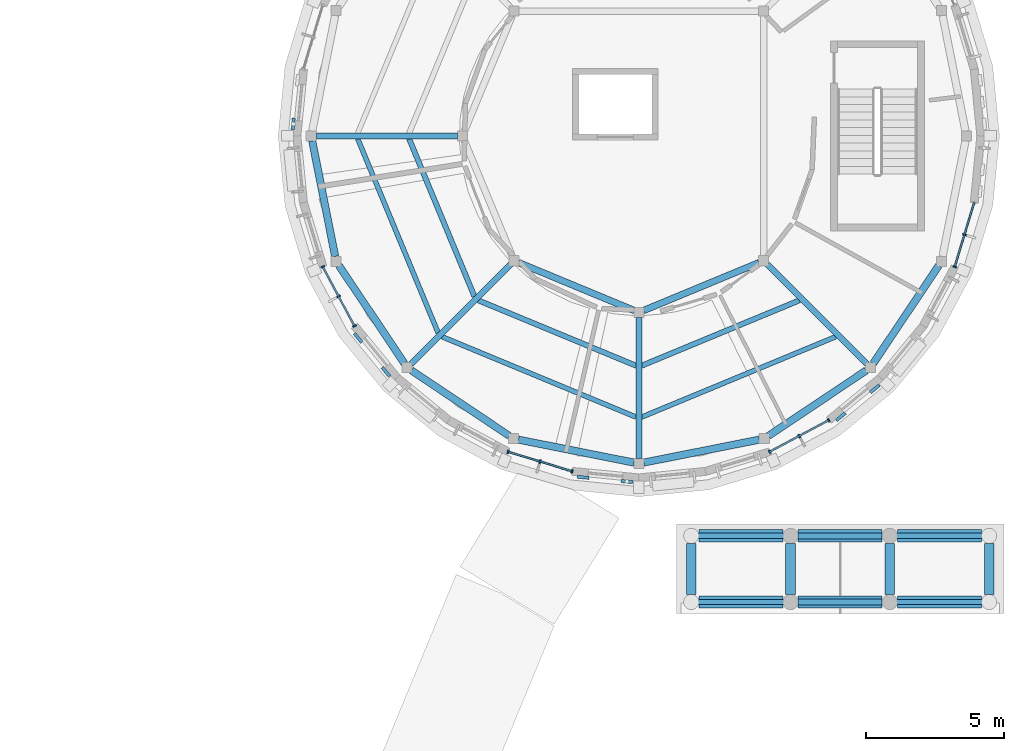
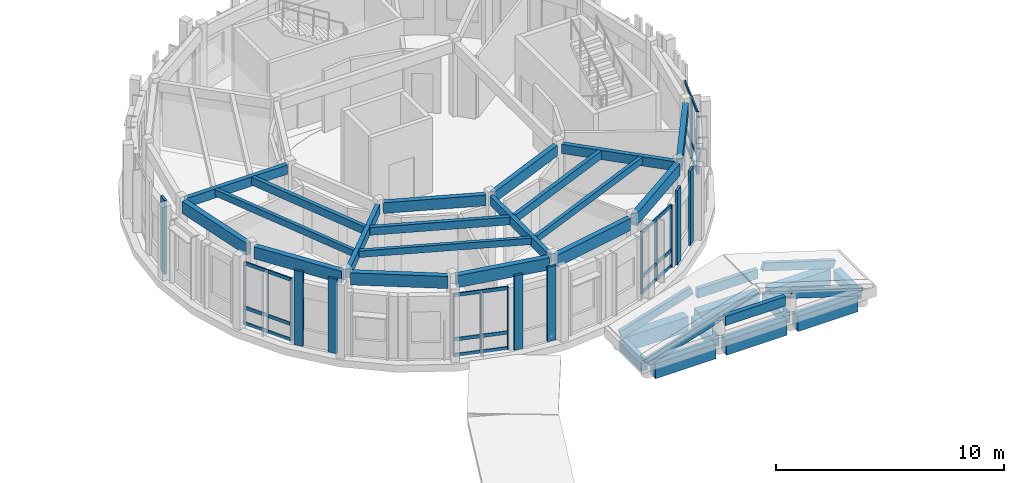
# One storey, part 18 of 58: 34 members, 31 beams, 4 elements without a shape of their own.
"""IFC4 building model written with IfcOpenShell, lengths in metres."""

from ifc_helpers import new_model, si_unit, direction, frame, origin, origin_2d, place, context, subcontext, project, spatial, rectangle, extrude, material, layer, layer_set, material_profile, profile_set, type_object, element, aggregate, save


model = new_model("IFC4")

# Units and contexts
model_context = context("Model", 3, precision=1e-05, world=origin(), true_north=direction((0.0, 1.0)))
body_context = subcontext(model_context, "Body", "Model", "MODEL_VIEW")
ifc_project = project(units=[si_unit("LENGTHUNIT", "METRE"), si_unit("AREAUNIT", "SQUARE_METRE"), si_unit("VOLUMEUNIT", "CUBIC_METRE"), si_unit("PLANEANGLEUNIT", "RADIAN"), si_unit("MASSUNIT", "GRAM", prefix="KILO")], contexts=[model_context])

# Site, building, storey
site_placement = place(None, origin())
site = spatial("IfcSite", under=ifc_project, at=site_placement, CompositionType="ELEMENT")
building_placement = place(site_placement, origin())
building = spatial("IfcBuilding", under=site, at=building_placement, Name="Aldenvaro Health Centre", CompositionType="ELEMENT")
storey_placement = place(building_placement, frame((0.0, 0.0, 8.75)))
storey = spatial("IfcBuildingStorey", under=building, at=storey_placement, Name="L02", CompositionType="ELEMENT", Elevation=8.75)

# Beams
ifc_material_1 = material(Name="Glulam GL28h", Category="wood")
ifc_material_profile_1 = material_profile(ifc_material_1, rectangle(XDim=0.175048828125, YDim=0.35009765625, at=origin_2d()), Name="GL 175x350", Category="wood")
ifc_profile_set_1 = profile_set([ifc_material_profile_1], Name="Glulam GL28h")
beam_type_1 = type_object("IfcBeamType", Name="BM-GL-350", PredefinedType="JOIST", material=ifc_profile_set_1)
for number, where, z_axis, x_axis, name in (
    (1, (144.304931640625, 99.40087890625, 3.800048828125), (0.382732904244, -0.923859039036, 0.0), (0.923859039036, 0.382732904244, 0.0), "D2 L02 secondary joist 03.2"),
    (2, (147.362060546875, 92.220947265625, 3.800048828125), (0.923859039036, -0.382732904244, 0.0), (0.382732904244, 0.923859039036, 0.0), "D2 L02 secondary joist 04.2"),
    (3, (154.59912109375, 89.304931640625, 3.800048828125), (0.923859039036, 0.382732904244, 0.0), (-0.382732904244, 0.923859039036, 0.0), "D2 L02 secondary joist 05.2"),
):
    element("IfcBeam", number, at=place(storey_placement, frame(where, z_axis=z_axis, x_axis=x_axis)), inside=storey, type_object=beam_type_1, Name=name, PredefinedType="JOIST", context=body_context, shape_type="SweptSolid", body=[
        extrude(rectangle(XDim=0.175048828125, YDim=0.35009765625, at=origin_2d()), origin(), (0.0, 0.0, 1.0), 7.618896484375),
    ])
ifc_material_profile_2 = material_profile(ifc_material_1, rectangle(XDim=0.18994140625, YDim=0.41796875, at=origin_2d()), Name="GL 190x418", Category="wood")
ifc_profile_set_2 = profile_set([ifc_material_profile_2], Name="Glulam GL28h")
beam_type_2 = type_object("IfcBeamType", Name="BM-GL-418", PredefinedType="JOIST", material=ifc_profile_set_2)
for number, where, z_axis, x_axis, name in (
    (4, (146.16796875, 99.40087890625, 3.76611328125), (0.382820589001, -0.923822708444, 0.0), (0.923822708444, 0.382820589001, 0.0), "D2 L02 secondary joist 03.1"),
    (5, (148.678955078125, 93.5390625, 3.76611328125), (0.923822708444, -0.382820589001, 0.0), (0.382820589001, 0.923822708444, 0.0), "D2 L02 secondary joist 04.1"),
    (6, (154.59912109375, 91.16796875, 3.76611328125), (0.923822708444, 0.382820589001, 0.0), (-0.382820589001, 0.923822708444, 0.0), "D2 L02 secondary joist 05.1"),
):
    element("IfcBeam", number, at=place(storey_placement, frame(where, z_axis=z_axis, x_axis=x_axis)), inside=storey, type_object=beam_type_2, Name=name, PredefinedType="JOIST", context=body_context, shape_type="SweptSolid", body=[
        extrude(rectangle(XDim=0.18994140625, YDim=0.41796875, at=origin_2d()), origin(), (0.0, 0.0, 1.0), 6.19384765625),
    ])
ifc_material_profile_3 = material_profile(ifc_material_1, rectangle(XDim=0.215087890625, YDim=0.493896484375, at=origin_2d()), Name="GL 215x494", Category="wood")
ifc_profile_set_3 = profile_set([ifc_material_profile_3], Name="Glulam GL28h")
beam_type_3 = type_object("IfcBeamType", Name="BM-GL-494", PredefinedType="BEAM", material=ifc_profile_set_3)
beam_1_placement = place(storey_placement, frame((147.9169921875, 99.5, 3.72802734375), z_axis=(-1.0, 0.0, 0.0), x_axis=(0.0, -1.0, 0.0)))
element("IfcBeam", 7, at=beam_1_placement, inside=storey, type_object=beam_type_3, Name="D2 L02 radial beam 03", PredefinedType="BEAM", context=body_context, shape_type="SweptSolid", body=[
    extrude(rectangle(XDim=0.215087890625, YDim=0.493896484375, at=origin_2d()), origin(), (0.0, 0.0, 1.0), 5.114013671875),
])
beam_2_placement = place(storey_placement, frame((149.845947265625, 94.845947265625, 3.72802734375), z_axis=(-0.707106781187, -0.707106781187, 0.0), x_axis=(0.707106781187, -0.707106781187, 0.0)))
element("IfcBeam", 8, at=beam_2_placement, inside=storey, type_object=beam_type_3, Name="D2 L02 radial beam 04", PredefinedType="BEAM", context=body_context, shape_type="SweptSolid", body=[
    extrude(rectangle(XDim=0.215087890625, YDim=0.493896484375, at=origin_2d()), origin(), (0.0, 0.0, 1.0), 5.115234375),
])
beam_3_placement = place(storey_placement, frame((154.5, 92.9169921875, 3.72802734375), z_axis=(0.0, -1.0, 0.0), x_axis=(1.0, 0.0, 0.0)))
element("IfcBeam", 9, at=beam_3_placement, inside=storey, type_object=beam_type_3, Name="D2 L02 radial beam 05", PredefinedType="BEAM", context=body_context, shape_type="SweptSolid", body=[
    extrude(rectangle(XDim=0.215087890625, YDim=0.493896484375, at=origin_2d()), origin(), (0.0, 0.0, 1.0), 5.114013671875),
])
beam_4_placement = place(storey_placement, frame((159.154052734375, 94.845947265625, 3.72802734375), z_axis=(0.707106781187, -0.707106781187, 0.0), x_axis=(0.707106781187, 0.707106781187, 0.0)))
element("IfcBeam", 10, at=beam_4_placement, inside=storey, type_object=beam_type_3, Name="D2 L02 radial beam 06", PredefinedType="BEAM", context=body_context, shape_type="SweptSolid", body=[
    extrude(rectangle(XDim=0.215087890625, YDim=0.493896484375, at=origin_2d()), origin(), (0.0, 0.0, 1.0), 5.115234375),
])
for number, where, z_axis, x_axis, name in (
    (11, (160.27490234375, 82.60009765625, 1.550048828125), (1.0, 0.0, 0.0), (0.0, 1.0, 0.0), "Bastion Portico N2 Pediment Collar 1"),
    (12, (160.27490234375, 85.0, 1.550048828125), (1.0, 0.0, 0.0), (0.0, 1.0, 0.0), "Bastion Portico N2 Pediment Collar 2"),
):
    element("IfcBeam", number, at=place(storey_placement, frame(where, z_axis=z_axis, x_axis=x_axis)), inside=storey, type_object=beam_type_3, Name=name, PredefinedType="BEAM", context=body_context, shape_type="SweptSolid", body=[
        extrude(rectangle(XDim=0.215087890625, YDim=0.493896484375, at=origin_2d()), origin(), (0.0, 0.0, 1.0), 3.050048828125),
    ])
ifc_material_profile_4 = material_profile(ifc_material_1, rectangle(XDim=0.239990234375, YDim=0.570068359375, at=origin_2d()), Name="GL 240x570", Category="wood")
ifc_profile_set_4 = profile_set([ifc_material_profile_4], Name="Glulam GL28h")
beam_type_4 = type_object("IfcBeamType", Name="BM-GL-570", PredefinedType="BEAM", material=ifc_profile_set_4)
for number, where, z_axis, x_axis, name in (
    (13, (150.14404296875, 94.905029296875, 3.68994140625), (0.923817864667, -0.382832277795, 0.0), (0.382832277795, 0.923817864667, 0.0), "D2 L02 inner ring beam 04"),
    (14, (154.6689453125, 93.169921875, 3.68994140625), (0.923817864667, 0.382832277795, 0.0), (-0.382832277795, 0.923817864667, 0.0), "D2 L02 inner ring beam 05"),
):
    element("IfcBeam", number, at=place(storey_placement, frame(where, z_axis=z_axis, x_axis=x_axis)), inside=storey, type_object=beam_type_4, Name=name, PredefinedType="BEAM", context=body_context, shape_type="SweptSolid", body=[
        extrude(rectangle(XDim=0.239990234375, YDim=0.570068359375, at=origin_2d()), origin(), (0.0, 0.0, 1.0), 4.5322265625),
    ])
ifc_material_profile_5 = material_profile(ifc_material_1, rectangle(XDim=0.264892578125, YDim=0.64599609375, at=origin_2d()), Name="GL 265x646", Category="wood")
ifc_profile_set_5 = profile_set([ifc_material_profile_5], Name="Glulam GL28h")
beam_type_5 = type_object("IfcBeamType", Name="BM-GL-646", PredefinedType="SPANDREL", material=ifc_profile_set_5)
beam_5_placement = place(storey_placement, frame((142.656005859375, 99.321044921875, 3.652099609375), z_axis=(0.19486245827, -0.980830577805, 0.0), x_axis=(0.980830577805, 0.19486245827, 0.0)))
element("IfcBeam", 15, at=beam_5_placement, inside=storey, type_object=beam_type_5, Name="D2 L02 perimeter spandrel 09", PredefinedType="SPANDREL", context=body_context, shape_type="SweptSolid", body=[
    extrude(rectangle(XDim=0.264892578125, YDim=0.64599609375, at=origin_2d()), origin(), (0.0, 0.0, 1.0), 4.269775390625),
])
for number, where, z_axis, x_axis, name in (
    (16, (143.625, 94.802001953125, 3.652099609375), (0.555886935474, -0.831257911222, 0.0), (0.831257911222, 0.555886935474, 0.0), "D2 L02 perimeter spandrel 10"),
    (17, (146.251953125, 90.9990234375, 3.652099609375), (0.831257911222, -0.555886935474, 0.0), (0.555886935474, 0.831257911222, 0.0), "D2 L02 perimeter spandrel 11"),
):
    element("IfcBeam", number, at=place(storey_placement, frame(where, z_axis=z_axis, x_axis=x_axis)), inside=storey, type_object=beam_type_5, Name=name, PredefinedType="SPANDREL", context=body_context, shape_type="SweptSolid", body=[
        extrude(rectangle(XDim=0.264892578125, YDim=0.64599609375, at=origin_2d()), origin(), (0.0, 0.0, 1.0), 4.270751953125),
    ])
for number, where, z_axis, x_axis, name in (
    (18, (150.133056640625, 88.488037109375, 3.652099609375), (0.980830577805, -0.19486245827, 0.0), (0.19486245827, 0.980830577805, 0.0), "D2 L02 perimeter spandrel 12"),
    (19, (154.678955078125, 87.656005859375, 3.652099609375), (0.980830577805, 0.19486245827, 0.0), (-0.19486245827, 0.980830577805, 0.0), "D2 L02 perimeter spandrel 13"),
):
    element("IfcBeam", number, at=place(storey_placement, frame(where, z_axis=z_axis, x_axis=x_axis)), inside=storey, type_object=beam_type_5, Name=name, PredefinedType="SPANDREL", context=body_context, shape_type="SweptSolid", body=[
        extrude(rectangle(XDim=0.264892578125, YDim=0.64599609375, at=origin_2d()), origin(), (0.0, 0.0, 1.0), 4.269775390625),
    ])
for number, where, z_axis, x_axis, name in (
    (20, (159.197998046875, 88.625, 3.652099609375), (0.831257911222, 0.555886935474, 0.0), (-0.555886935474, 0.831257911222, 0.0), "D2 L02 perimeter spandrel 14"),
    (21, (163.0009765625, 91.251953125, 3.652099609375), (0.555886935474, 0.831257911222, 0.0), (-0.831257911222, 0.555886935474, 0.0), "D2 L02 perimeter spandrel 15"),
):
    element("IfcBeam", number, at=place(storey_placement, frame(where, z_axis=z_axis, x_axis=x_axis)), inside=storey, type_object=beam_type_5, Name=name, PredefinedType="SPANDREL", context=body_context, shape_type="SweptSolid", body=[
        extrude(rectangle(XDim=0.264892578125, YDim=0.64599609375, at=origin_2d()), origin(), (0.0, 0.0, 1.0), 4.270751953125),
    ])
ifc_material_2 = material(Name="Concrete f'c 40 MPa", Category="concrete")
ifc_material_profile_6 = material_profile(ifc_material_2, rectangle(XDim=0.35009765625, YDim=0.56005859375, at=origin_2d()), Name="RC 350x560", Category="concrete")
ifc_profile_set_6 = profile_set([ifc_material_profile_6], Name="Concrete f'c 40 MPa")
beam_type_6 = type_object("IfcBeamType", Name="BM-RC-560E", PredefinedType="JOIST", material=ifc_profile_set_6)
for number, where, z_axis, x_axis, name in (
    (22, (156.39990234375, 82.875, 0.320068359375), (0.0, 1.0, 0.0), (-1.0, 0.0, 0.0), "Bastion Portico N2 Entablature Tie 1"),
    (23, (160.0, 82.875, 0.320068359375), (0.0, 1.0, 0.0), (-1.0, 0.0, 0.0), "Bastion Portico N2 Entablature Tie 2"),
    (24, (163.60009765625, 82.875, 0.320068359375), (0.0, 1.0, 0.0), (-1.0, 0.0, 0.0), "Bastion Portico N2 Entablature Tie 3"),
    (25, (167.199951171875, 82.875, 0.320068359375), (0.0, 1.0, 0.0), (-1.0, 0.0, 0.0), "Bastion Portico N2 Entablature Tie 4"),
):
    element("IfcBeam", number, at=place(storey_placement, frame(where, z_axis=z_axis, x_axis=x_axis)), inside=storey, type_object=beam_type_6, Name=name, PredefinedType="JOIST", context=body_context, shape_type="SweptSolid", body=[
        extrude(rectangle(XDim=0.35009765625, YDim=0.56005859375, at=origin_2d()), origin(), (0.0, 0.0, 1.0), 1.85009765625),
    ])
ifc_material_profile_7 = material_profile(ifc_material_2, rectangle(XDim=0.449951171875, YDim=0.800048828125, at=origin_2d()), Name="RC 450x800", Category="concrete")
ifc_profile_set_7 = profile_set([ifc_material_profile_7], Name="Concrete f'c 40 MPa")
beam_type_7 = type_object("IfcBeamType", Name="BM-RC-800", PredefinedType="SPANDREL", material=ifc_profile_set_7)
for number, where, z_axis, x_axis, name in (
    (26, (156.675048828125, 82.60009765625, 0.199951171875), (1.0, 0.0, 0.0), (0.0, 1.0, 0.0), "Bastion Portico N2 Classical Architrave 1.1"),
    (27, (156.675048828125, 85.0, 0.199951171875), (1.0, 0.0, 0.0), (0.0, 1.0, 0.0), "Bastion Portico N2 Classical Architrave 1.2"),
    (28, (160.27490234375, 82.60009765625, 0.199951171875), (1.0, 0.0, 0.0), (0.0, 1.0, 0.0), "Bastion Portico N2 Classical Architrave 2.1"),
    (29, (160.27490234375, 85.0, 0.199951171875), (1.0, 0.0, 0.0), (0.0, 1.0, 0.0), "Bastion Portico N2 Classical Architrave 2.2"),
    (30, (163.875, 82.60009765625, 0.199951171875), (1.0, 0.0, 0.0), (0.0, 1.0, 0.0), "Bastion Portico N2 Classical Architrave 3.1"),
    (31, (163.875, 85.0, 0.199951171875), (1.0, 0.0, 0.0), (0.0, 1.0, 0.0), "Bastion Portico N2 Classical Architrave 3.2"),
):
    element("IfcBeam", number, at=place(storey_placement, frame(where, z_axis=z_axis, x_axis=x_axis)), inside=storey, type_object=beam_type_7, Name=name, PredefinedType="SPANDREL", context=body_context, shape_type="SweptSolid", body=[
        extrude(rectangle(XDim=0.449951171875, YDim=0.800048828125, at=origin_2d()), origin(), (0.0, 0.0, 1.0), 3.050048828125),
    ])

# Curtain wall, members
ifc_material_3 = material(Name="Anodised Aluminium 6063-T6", Category="aluminium")
ifc_layer = layer(ifc_material_3, 0.195068359375, Name="Anodised Aluminium 6063-T6", Category="aluminium")
ifc_layer_set = layer_set([ifc_layer], Name="Anodised Aluminium 6063-T6")
curtain_wall_type = type_object("IfcCurtainWallType", Name="CW-CLN-02", PredefinedType="NOTDEFINED", material=ifc_layer_set)
curtain_wall_1_placement = place(storey_placement, origin())
curtain_wall_1 = element("IfcCurtainWall", 32, at=curtain_wall_1_placement, inside=storey, type_object=curtain_wall_type, Name="D2 L02 curtain wall bay 02", PredefinedType="NOTDEFINED")
ifc_material_profile_8 = material_profile(ifc_material_3, rectangle(XDim=0.06005859375, YDim=0.135009765625, at=origin_2d()), Name="ALU 60x135", Category="aluminium")
ifc_profile_set_8 = profile_set([ifc_material_profile_8], Name="Anodised Aluminium 6063-T6")
member_type_1 = type_object("IfcMemberType", Name="CWM-150", PredefinedType="MULLION", material=ifc_profile_set_8)
member_1_placement = place(storey_placement, frame((166.30908203125, 95.91796875, 0.0), z_axis=(0.0, 0.0, 1.0), x_axis=(-0.290441245116, -0.956892827403, 0.0)))
member_1 = element("IfcMember", 33, at=member_1_placement, type_object=member_type_1, Name="D2 L02 curtain wall bay 02 mullion 2", PredefinedType="MULLION", context=body_context, shape_type="SweptSolid", body=[
    extrude(rectangle(XDim=0.06005859375, YDim=0.135009765625, at=origin_2d()), origin(), (0.0, 0.0, 1.0), 3.3291015625),
])
member_2_placement = place(storey_placement, frame((165.9560546875, 94.7548828125, 0.0), z_axis=(0.0, 0.0, 1.0), x_axis=(-0.290441245116, -0.956892827403, 0.0)))
member_2 = element("IfcMember", 34, at=member_2_placement, type_object=member_type_1, Name="D2 L02 curtain wall bay 02 mullion 3", PredefinedType="MULLION", context=body_context, shape_type="SweptSolid", body=[
    extrude(rectangle(XDim=0.06005859375, YDim=0.135009765625, at=origin_2d()), origin(), (0.0, 0.0, 1.0), 3.3291015625),
])

curtain_wall_2_placement = place(storey_placement, origin())
curtain_wall_2 = element("IfcCurtainWall", 35, at=curtain_wall_2_placement, inside=storey, type_object=curtain_wall_type, Name="D2 L02 curtain wall bay 06", PredefinedType="NOTDEFINED")
member_3_placement = place(storey_placement, frame((161.388916015625, 89.18994140625, 0.0), z_axis=(0.0, 0.0, 1.0), x_axis=(-0.881919874971, -0.471399336159, 0.0)))
member_3 = element("IfcMember", 36, at=member_3_placement, type_object=member_type_1, Name="D2 L02 curtain wall bay 06 mullion 1", PredefinedType="MULLION", context=body_context, shape_type="SweptSolid", body=[
    extrude(rectangle(XDim=0.06005859375, YDim=0.135009765625, at=origin_2d()), origin(), (0.0, 0.0, 1.0), 3.3291015625),
])
member_4_placement = place(storey_placement, frame((160.31689453125, 88.616943359375, 0.0), z_axis=(0.0, 0.0, 1.0), x_axis=(-0.881919874971, -0.471399336159, 0.0)))
member_4 = element("IfcMember", 37, at=member_4_placement, type_object=member_type_1, Name="D2 L02 curtain wall bay 06 mullion 2", PredefinedType="MULLION", context=body_context, shape_type="SweptSolid", body=[
    extrude(rectangle(XDim=0.06005859375, YDim=0.135009765625, at=origin_2d()), origin(), (0.0, 0.0, 1.0), 3.3291015625),
])
member_5_placement = place(storey_placement, frame((159.2451171875, 88.0439453125, 0.0), z_axis=(0.0, 0.0, 1.0), x_axis=(-0.881919874971, -0.471399336159, 0.0)))
member_5 = element("IfcMember", 38, at=member_5_placement, type_object=member_type_1, Name="D2 L02 curtain wall bay 06 mullion 3", PredefinedType="MULLION", context=body_context, shape_type="SweptSolid", body=[
    extrude(rectangle(XDim=0.06005859375, YDim=0.135009765625, at=origin_2d()), origin(), (0.0, 0.0, 1.0), 3.3291015625),
])

curtain_wall_3_placement = place(storey_placement, origin())
curtain_wall_3 = element("IfcCurtainWall", 39, at=curtain_wall_3_placement, inside=storey, type_object=curtain_wall_type, Name="D2 L02 curtain wall bay 10", PredefinedType="NOTDEFINED")
member_6_placement = place(storey_placement, frame((152.0810546875, 87.337890625, 0.0), z_axis=(0.0, 0.0, 1.0), x_axis=(-0.956892827403, 0.290441245116, 0.0)))
member_6 = element("IfcMember", 40, at=member_6_placement, type_object=member_type_1, Name="D2 L02 curtain wall bay 10 mullion 1", PredefinedType="MULLION", context=body_context, shape_type="SweptSolid", body=[
    extrude(rectangle(XDim=0.06005859375, YDim=0.135009765625, at=origin_2d()), origin(), (0.0, 0.0, 1.0), 3.3291015625),
])
member_7_placement = place(storey_placement, frame((150.91796875, 87.69091796875, 0.0), z_axis=(0.0, 0.0, 1.0), x_axis=(-0.956892827403, 0.290441245116, 0.0)))
member_7 = element("IfcMember", 41, at=member_7_placement, type_object=member_type_1, Name="D2 L02 curtain wall bay 10 mullion 2", PredefinedType="MULLION", context=body_context, shape_type="SweptSolid", body=[
    extrude(rectangle(XDim=0.06005859375, YDim=0.135009765625, at=origin_2d()), origin(), (0.0, 0.0, 1.0), 3.3291015625),
])
member_8_placement = place(storey_placement, frame((149.7548828125, 88.0439453125, 0.0), z_axis=(0.0, 0.0, 1.0), x_axis=(-0.956892827403, 0.290441245116, 0.0)))
member_8 = element("IfcMember", 42, at=member_8_placement, type_object=member_type_1, Name="D2 L02 curtain wall bay 10 mullion 3", PredefinedType="MULLION", context=body_context, shape_type="SweptSolid", body=[
    extrude(rectangle(XDim=0.06005859375, YDim=0.135009765625, at=origin_2d()), origin(), (0.0, 0.0, 1.0), 3.3291015625),
])

curtain_wall_4_placement = place(storey_placement, origin())
curtain_wall_4 = element("IfcCurtainWall", 43, at=curtain_wall_4_placement, inside=storey, type_object=curtain_wall_type, Name="D2 L02 curtain wall bay 14", PredefinedType="NOTDEFINED")
member_9_placement = place(storey_placement, frame((144.18994140625, 92.611083984375, 0.0), z_axis=(0.0, 0.0, 1.0), x_axis=(-0.471399336159, 0.881919874971, 0.0)))
member_9 = element("IfcMember", 44, at=member_9_placement, type_object=member_type_1, Name="D2 L02 curtain wall bay 14 mullion 1", PredefinedType="MULLION", context=body_context, shape_type="SweptSolid", body=[
    extrude(rectangle(XDim=0.06005859375, YDim=0.135009765625, at=origin_2d()), origin(), (0.0, 0.0, 1.0), 3.3291015625),
])
member_10_placement = place(storey_placement, frame((143.616943359375, 93.68310546875, 0.0), z_axis=(0.0, 0.0, 1.0), x_axis=(-0.471399336159, 0.881919874971, 0.0)))
member_10 = element("IfcMember", 45, at=member_10_placement, type_object=member_type_1, Name="D2 L02 curtain wall bay 14 mullion 2", PredefinedType="MULLION", context=body_context, shape_type="SweptSolid", body=[
    extrude(rectangle(XDim=0.06005859375, YDim=0.135009765625, at=origin_2d()), origin(), (0.0, 0.0, 1.0), 3.3291015625),
])
member_11_placement = place(storey_placement, frame((143.0439453125, 94.7548828125, 0.0), z_axis=(0.0, 0.0, 1.0), x_axis=(-0.471399336159, 0.881919874971, 0.0)))
member_11 = element("IfcMember", 46, at=member_11_placement, type_object=member_type_1, Name="D2 L02 curtain wall bay 14 mullion 3", PredefinedType="MULLION", context=body_context, shape_type="SweptSolid", body=[
    extrude(rectangle(XDim=0.06005859375, YDim=0.135009765625, at=origin_2d()), origin(), (0.0, 0.0, 1.0), 3.3291015625),
])

# Member
ifc_material_profile_9 = material_profile(ifc_material_3, rectangle(XDim=0.06494140625, YDim=0.179931640625, at=origin_2d()), Name="ALU 65x180", Category="aluminium")
ifc_profile_set_9 = profile_set([ifc_material_profile_9], Name="Anodised Aluminium 6063-T6")
member_type_2 = type_object("IfcMemberType", Name="CWT-150", PredefinedType="USERDEFINED", material=ifc_profile_set_9)
member_12_placement = place(storey_placement, frame((166.662109375, 97.0810546875, 0.06005859375), z_axis=(-0.290442193951, -0.956892539407, 0.0), x_axis=(0.956892539407, -0.290442193951, 0.0)))
member_12 = element("IfcMember", 47, at=member_12_placement, type_object=member_type_2, Name="D2 L02 curtain wall bay 02 transom 1", ObjectType="TRANSOM", PredefinedType="USERDEFINED", context=body_context, shape_type="SweptSolid", body=[
    extrude(rectangle(XDim=0.06494140625, YDim=0.179931640625, at=origin_2d()), origin(), (0.0, 0.0, 1.0), 2.430908203125),
])

member_13_placement = place(storey_placement, frame((166.662109375, 97.0810546875, 0.89990234375), z_axis=(-0.290442193951, -0.956892539407, 0.0), x_axis=(0.956892539407, -0.290442193951, 0.0)))
member_13 = element("IfcMember", 48, at=member_13_placement, type_object=member_type_2, Name="D2 L02 curtain wall bay 02 transom 2", ObjectType="TRANSOM", PredefinedType="USERDEFINED", context=body_context, shape_type="SweptSolid", body=[
    extrude(rectangle(XDim=0.06494140625, YDim=0.179931640625, at=origin_2d()), origin(), (0.0, 0.0, 1.0), 2.430908203125),
])

member_14_placement = place(storey_placement, frame((166.662109375, 97.0810546875, 3.26904296875), z_axis=(-0.290442193951, -0.956892539407, 0.0), x_axis=(0.956892539407, -0.290442193951, 0.0)))
member_14 = element("IfcMember", 49, at=member_14_placement, type_object=member_type_2, Name="D2 L02 curtain wall bay 02 transom 3", ObjectType="TRANSOM", PredefinedType="USERDEFINED", context=body_context, shape_type="SweptSolid", body=[
    extrude(rectangle(XDim=0.06494140625, YDim=0.179931640625, at=origin_2d()), origin(), (0.0, 0.0, 1.0), 2.430908203125),
])

aggregate(curtain_wall_1, [member_1, member_2, member_12, member_13, member_14])

member_15_placement = place(storey_placement, frame((161.388916015625, 89.18994140625, 0.06005859375), z_axis=(-0.881902152415, -0.471432490996, 0.0), x_axis=(0.471432490996, -0.881902152415, 0.0)))
member_15 = element("IfcMember", 50, at=member_15_placement, type_object=member_type_2, Name="D2 L02 curtain wall bay 06 transom 1", ObjectType="TRANSOM", PredefinedType="USERDEFINED", context=body_context, shape_type="SweptSolid", body=[
    extrude(rectangle(XDim=0.06494140625, YDim=0.179931640625, at=origin_2d()), origin(), (0.0, 0.0, 1.0), 2.430908203125),
])

member_16_placement = place(storey_placement, frame((161.388916015625, 89.18994140625, 0.89990234375), z_axis=(-0.881902152415, -0.471432490996, 0.0), x_axis=(0.471432490996, -0.881902152415, 0.0)))
member_16 = element("IfcMember", 51, at=member_16_placement, type_object=member_type_2, Name="D2 L02 curtain wall bay 06 transom 2", ObjectType="TRANSOM", PredefinedType="USERDEFINED", context=body_context, shape_type="SweptSolid", body=[
    extrude(rectangle(XDim=0.06494140625, YDim=0.179931640625, at=origin_2d()), origin(), (0.0, 0.0, 1.0), 2.430908203125),
])

member_17_placement = place(storey_placement, frame((161.388916015625, 89.18994140625, 3.26904296875), z_axis=(-0.881902152415, -0.471432490996, 0.0), x_axis=(0.471432490996, -0.881902152415, 0.0)))
member_17 = element("IfcMember", 52, at=member_17_placement, type_object=member_type_2, Name="D2 L02 curtain wall bay 06 transom 3", ObjectType="TRANSOM", PredefinedType="USERDEFINED", context=body_context, shape_type="SweptSolid", body=[
    extrude(rectangle(XDim=0.06494140625, YDim=0.179931640625, at=origin_2d()), origin(), (0.0, 0.0, 1.0), 2.430908203125),
])

aggregate(curtain_wall_2, [member_3, member_4, member_5, member_15, member_16, member_17])

member_18_placement = place(storey_placement, frame((152.0810546875, 87.337890625, 0.06005859375), z_axis=(-0.956892539407, 0.290442193951, 0.0), x_axis=(-0.290442193951, -0.956892539407, 0.0)))
member_18 = element("IfcMember", 53, at=member_18_placement, type_object=member_type_2, Name="D2 L02 curtain wall bay 10 transom 1", ObjectType="TRANSOM", PredefinedType="USERDEFINED", context=body_context, shape_type="SweptSolid", body=[
    extrude(rectangle(XDim=0.06494140625, YDim=0.179931640625, at=origin_2d()), origin(), (0.0, 0.0, 1.0), 2.430908203125),
])

member_19_placement = place(storey_placement, frame((152.0810546875, 87.337890625, 0.89990234375), z_axis=(-0.956892539407, 0.290442193951, 0.0), x_axis=(-0.290442193951, -0.956892539407, 0.0)))
member_19 = element("IfcMember", 54, at=member_19_placement, type_object=member_type_2, Name="D2 L02 curtain wall bay 10 transom 2", ObjectType="TRANSOM", PredefinedType="USERDEFINED", context=body_context, shape_type="SweptSolid", body=[
    extrude(rectangle(XDim=0.06494140625, YDim=0.179931640625, at=origin_2d()), origin(), (0.0, 0.0, 1.0), 2.430908203125),
])

member_20_placement = place(storey_placement, frame((152.0810546875, 87.337890625, 3.26904296875), z_axis=(-0.956892539407, 0.290442193951, 0.0), x_axis=(-0.290442193951, -0.956892539407, 0.0)))
member_20 = element("IfcMember", 55, at=member_20_placement, type_object=member_type_2, Name="D2 L02 curtain wall bay 10 transom 3", ObjectType="TRANSOM", PredefinedType="USERDEFINED", context=body_context, shape_type="SweptSolid", body=[
    extrude(rectangle(XDim=0.06494140625, YDim=0.179931640625, at=origin_2d()), origin(), (0.0, 0.0, 1.0), 2.430908203125),
])

aggregate(curtain_wall_3, [member_6, member_7, member_8, member_18, member_19, member_20])

member_21_placement = place(storey_placement, frame((144.18994140625, 92.611083984375, 0.06005859375), z_axis=(-0.471432490996, 0.881902152415, 0.0), x_axis=(-0.881902152415, -0.471432490996, 0.0)))
member_21 = element("IfcMember", 56, at=member_21_placement, type_object=member_type_2, Name="D2 L02 curtain wall bay 14 transom 1", ObjectType="TRANSOM", PredefinedType="USERDEFINED", context=body_context, shape_type="SweptSolid", body=[
    extrude(rectangle(XDim=0.06494140625, YDim=0.179931640625, at=origin_2d()), origin(), (0.0, 0.0, 1.0), 2.430908203125),
])

member_22_placement = place(storey_placement, frame((144.18994140625, 92.611083984375, 0.89990234375), z_axis=(-0.471432490996, 0.881902152415, 0.0), x_axis=(-0.881902152415, -0.471432490996, 0.0)))
member_22 = element("IfcMember", 57, at=member_22_placement, type_object=member_type_2, Name="D2 L02 curtain wall bay 14 transom 2", ObjectType="TRANSOM", PredefinedType="USERDEFINED", context=body_context, shape_type="SweptSolid", body=[
    extrude(rectangle(XDim=0.06494140625, YDim=0.179931640625, at=origin_2d()), origin(), (0.0, 0.0, 1.0), 2.430908203125),
])

member_23_placement = place(storey_placement, frame((144.18994140625, 92.611083984375, 3.26904296875), z_axis=(-0.471432490996, 0.881902152415, 0.0), x_axis=(-0.881902152415, -0.471432490996, 0.0)))
member_23 = element("IfcMember", 58, at=member_23_placement, type_object=member_type_2, Name="D2 L02 curtain wall bay 14 transom 3", ObjectType="TRANSOM", PredefinedType="USERDEFINED", context=body_context, shape_type="SweptSolid", body=[
    extrude(rectangle(XDim=0.06494140625, YDim=0.179931640625, at=origin_2d()), origin(), (0.0, 0.0, 1.0), 2.430908203125),
])

aggregate(curtain_wall_4, [member_9, member_10, member_11, member_21, member_22, member_23])

# Members
ifc_material_profile_10 = material_profile(ifc_material_1, rectangle(XDim=0.18994140625, YDim=0.41796875, at=origin_2d()), Name="GL 190x418", Category="wood")
ifc_profile_set_10 = profile_set([ifc_material_profile_10], Name="Glulam GL28h")
member_type_3 = type_object("IfcMemberType", Name="MEM-RF-418", PredefinedType="RAFTER", material=ifc_profile_set_10)
member_24_placement = place(storey_placement, frame((156.39990234375, 82.60009765625, 0.68994140625), z_axis=(0.954850245389, 0.0, 0.297087544137), x_axis=(0.0, 1.0, 0.0)))
element("IfcMember", 59, at=member_24_placement, inside=storey, type_object=member_type_3, Name="Bastion Portico N2 West Rafter 1", PredefinedType="RAFTER", context=body_context, shape_type="SweptSolid", body=[
    extrude(rectangle(XDim=0.18994140625, YDim=0.41796875, at=origin_2d()), origin(), (0.0, 0.0, 1.0), 3.770263671875),
])
member_25_placement = place(storey_placement, frame((167.199951171875, 82.60009765625, 0.68994140625), z_axis=(-0.954844529678, 0.0, 0.297105914016), x_axis=(0.0, -1.0, 0.0)))
element("IfcMember", 60, at=member_25_placement, inside=storey, type_object=member_type_3, Name="Bastion Portico N2 East Rafter 1", PredefinedType="RAFTER", context=body_context, shape_type="SweptSolid", body=[
    extrude(rectangle(XDim=0.18994140625, YDim=0.41796875, at=origin_2d()), origin(), (0.0, 0.0, 1.0), 3.77001953125),
])
member_26_placement = place(storey_placement, frame((156.39990234375, 85.0, 0.68994140625), z_axis=(0.954850245389, 0.0, 0.297087544137), x_axis=(0.0, 1.0, 0.0)))
element("IfcMember", 61, at=member_26_placement, inside=storey, type_object=member_type_3, Name="Bastion Portico N2 West Rafter 2", PredefinedType="RAFTER", context=body_context, shape_type="SweptSolid", body=[
    extrude(rectangle(XDim=0.18994140625, YDim=0.41796875, at=origin_2d()), origin(), (0.0, 0.0, 1.0), 3.770263671875),
])
member_27_placement = place(storey_placement, frame((167.199951171875, 85.0, 0.68994140625), z_axis=(-0.954844529678, 0.0, 0.297105914016), x_axis=(0.0, -1.0, 0.0)))
element("IfcMember", 62, at=member_27_placement, inside=storey, type_object=member_type_3, Name="Bastion Portico N2 East Rafter 2", PredefinedType="RAFTER", context=body_context, shape_type="SweptSolid", body=[
    extrude(rectangle(XDim=0.18994140625, YDim=0.41796875, at=origin_2d()), origin(), (0.0, 0.0, 1.0), 3.77001953125),
])
ifc_material_profile_11 = material_profile(ifc_material_1, rectangle(XDim=0.114990234375, YDim=0.419921875, at=origin_2d()), Name="GL 115x420", Category="wood")
ifc_profile_set_11 = profile_set([ifc_material_profile_11], Name="Glulam GL28h")
member_type_4 = type_object("IfcMemberType", Name="MEM-SLT-420A", PredefinedType="POST", material=ifc_profile_set_11)
for number, where, z_axis, x_axis, name in (
    (63, (163.053955078125, 90.330078125, 0.0), (0.0, 0.0, 1.0), (0.634379653268, -0.773021639749, 0.0), "D2 L02 vertical timber slat 5.1"),
    (64, (161.824951171875, 89.321044921875, 0.0), (0.0, 0.0, 1.0), (0.634379653268, -0.773021639749, 0.0), "D2 L02 vertical timber slat 5.3"),
    (65, (154.06494140625, 86.967041015625, 0.0), (0.0, 0.0, 1.0), (-0.097914988926, -0.995194782414, 0.0), "D2 L02 vertical timber slat 9.1"),
    (66, (152.48193359375, 87.123046875, 0.0), (0.0, 0.0, 1.0), (-0.097914988926, -0.995194782414, 0.0), "D2 L02 vertical timber slat 9.3"),
    (67, (145.330078125, 90.946044921875, 0.0), (0.0, 0.0, 1.0), (-0.773021639749, -0.634379653268, 0.0), "D2 L02 vertical timber slat 13.1"),
    (68, (144.321044921875, 92.175048828125, 0.0), (0.0, 0.0, 1.0), (-0.773021639749, -0.634379653268, 0.0), "D2 L02 vertical timber slat 13.3"),
    (69, (141.967041015625, 99.93505859375, 0.0), (0.0, 0.0, 1.0), (-0.995194782414, 0.097914988926, 0.0), "D2 L02 vertical timber slat 17.1"),
):
    element("IfcMember", number, at=place(storey_placement, frame(where, z_axis=z_axis, x_axis=x_axis)), inside=storey, type_object=member_type_4, Name=name, PredefinedType="POST", context=body_context, shape_type="SweptSolid", body=[
        extrude(rectangle(XDim=0.114990234375, YDim=0.419921875, at=origin_2d()), origin(), (0.0, 0.0, 1.0), 3.97509765625),
    ])

save(model, "model.ifc")
